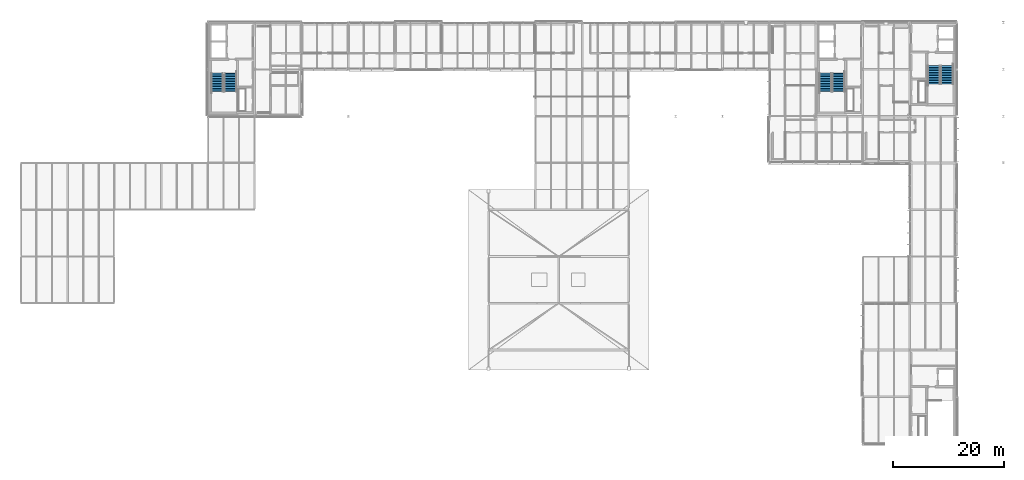
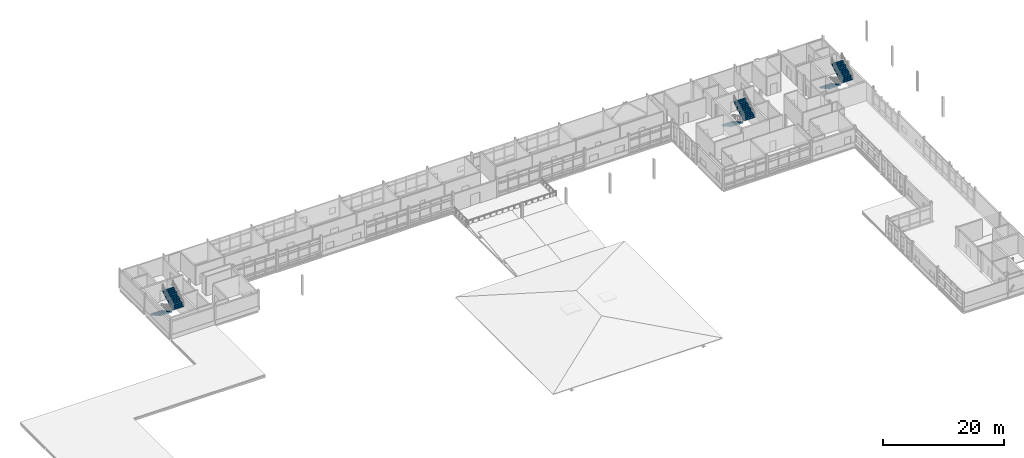
# One storey, part 57 of 66: 6 stair flights, 3 elements without a shape of their own.
"""IFC4 building model written with IfcOpenShell, lengths in metres."""

from ifc_helpers import new_model, si_unit, direction, frame, origin, place, context, subcontext, project, spatial, polyline, outline, extrude, material, type_object, element, aggregate, save


model = new_model("IFC4")

# Units and contexts
model_context = context("Model", 3, precision=1e-05, world=origin(), true_north=direction((0.0, 1.0)))
body_context = subcontext(model_context, "Body", "Model", "MODEL_VIEW")
ifc_project = project(units=[si_unit("LENGTHUNIT", "METRE"), si_unit("AREAUNIT", "SQUARE_METRE"), si_unit("VOLUMEUNIT", "CUBIC_METRE"), si_unit("PLANEANGLEUNIT", "RADIAN"), si_unit("MASSUNIT", "GRAM", prefix="KILO")], contexts=[model_context])

# Site, building, storey
site_placement = place(None, origin())
site = spatial("IfcSite", under=ifc_project, at=site_placement, CompositionType="ELEMENT")
building_placement = place(site_placement, origin())
building = spatial("IfcBuilding", under=site, at=building_placement, Name="Mersafa Astral City Hall", CompositionType="ELEMENT")
storey_placement = place(building_placement, frame((0.0, 0.0, 22.050048828125)))
storey = spatial("IfcBuildingStorey", under=building, at=storey_placement, Name="L05", CompositionType="ELEMENT", Elevation=22.050048828125)

# Stair, stair flights
ifc_material = material(Name="Concrete C40/50", Category="concrete")
stair_type = type_object("IfcStairType", Name="STAIR", PredefinedType="HALF_TURN_STAIR", material=ifc_material)
stair_1_placement = place(storey_placement, origin())
stair_1 = element("IfcStair", 1, at=stair_1_placement, inside=storey, type_object=stair_type, Name="L05 Protected Exit Stair ST1", PredefinedType="HALF_TURN_STAIR")
stair_flight_type = type_object("IfcStairFlightType", Name="STAIR-FLIGHT", PredefinedType="STRAIGHT", material=ifc_material)
stair_flight_1_placement = place(storey_placement, frame((152.8798828125, 116.89990234375, 0.0), z_axis=(0.0, 0.0, 1.0), x_axis=(0.0, -1.0, 0.0)))
stair_flight_1 = element("IfcStairFlight", 2, at=stair_flight_1_placement, type_object=stair_flight_type, Name="ST1 flight 1", NumberOfRisers=12, NumberOfTreads=11, PredefinedType="STRAIGHT", RiserHeight=0.16875, TreadLength=0.3, context=body_context, shape_type="SweptSolid", body=[
    extrude(outline(polyline([(-0.008056640625, -0.02197265625), (-0.008056640625, -0.010009765625), (-0.008056640625, 0.001953125), (-0.008056640625, 0.013671875), (-0.008056640625, 0.025634765625), (-0.008056640625, 0.03759765625), (-0.008056640625, 0.049560546875), (-0.008056640625, 0.0615234375), (-0.008056640625, 0.073486328125), (-0.008056640625, 0.085205078125), (-0.008056640625, 0.09716796875), (-0.008056640625, 0.109130859375), (-0.008056640625, 0.12109375), (-0.008056640625, 0.133056640625), (-0.008056640625, 0.14501953125), (-0.008056640625, 0.15673828125), (-0.008056640625, 0.168701171875), (0.300048828125, 0.168701171875), (0.300048828125, 0.33740234375), (0.60009765625, 0.33740234375), (0.60009765625, 0.50634765625), (0.89990234375, 0.50634765625), (0.89990234375, 0.675048828125), (1.199951171875, 0.675048828125), (1.199951171875, 0.84375), (1.5, 0.84375), (1.5, 1.012451171875), (1.800048828125, 1.012451171875), (1.800048828125, 1.18115234375), (2.10009765625, 1.18115234375), (2.10009765625, 1.35009765625), (2.39990234375, 1.35009765625), (2.39990234375, 1.518798828125), (2.699951171875, 1.518798828125), (2.699951171875, 1.6875), (3.0, 1.6875), (3.0, 1.856201171875), (3.300048828125, 1.856201171875), (3.300048828125, 2.02490234375), (3.30810546875, 2.02490234375), (3.30810546875, 2.003662109375), (3.30810546875, 1.982421875), (3.30810546875, 1.961181640625), (3.30810546875, 1.939697265625), (3.30810546875, 1.91845703125), (3.30810546875, 1.897216796875), (3.30810546875, 1.8759765625), (3.30810546875, 1.854736328125), (3.30810546875, 1.833251953125), (3.30810546875, 1.81201171875), (3.30810546875, 1.790771484375), (3.30810546875, 1.76953125), (3.30810546875, 1.748046875), (3.30810546875, 1.726806640625), (3.30810546875, 1.70556640625), (3.30810546875, 1.684326171875), (0.2666015625, -0.02197265625), (-0.008056640625, -0.02197265625)])), frame((0.0, 1.10009765625, 0.0), z_axis=(0.0, -1.0, 0.0), x_axis=(1.0, 0.0, 0.0)), (0.0, 0.0, 1.0), 2.199951171875),
])
stair_flight_2_placement = place(storey_placement, frame((155.239990234375, 113.60009765625, 2.02490234375), z_axis=(0.0, 0.0, 1.0), x_axis=(0.0, 1.0, 0.0)))
stair_flight_2 = element("IfcStairFlight", 3, at=stair_flight_2_placement, type_object=stair_flight_type, Name="ST1 flight 2", NumberOfRisers=12, NumberOfTreads=11, PredefinedType="STRAIGHT", RiserHeight=0.16875, TreadLength=0.3, context=body_context, shape_type="SweptSolid", body=[
    extrude(outline(polyline([(-0.008056640625, -0.02197265625), (-0.008056640625, -0.010009765625), (-0.008056640625, 0.001953125), (-0.008056640625, 0.013671875), (-0.008056640625, 0.025634765625), (-0.008056640625, 0.03759765625), (-0.008056640625, 0.049560546875), (-0.008056640625, 0.0615234375), (-0.008056640625, 0.073486328125), (-0.008056640625, 0.085205078125), (-0.008056640625, 0.09716796875), (-0.008056640625, 0.109130859375), (-0.008056640625, 0.12109375), (-0.008056640625, 0.133056640625), (-0.008056640625, 0.14501953125), (-0.008056640625, 0.15673828125), (-0.008056640625, 0.168701171875), (0.300048828125, 0.168701171875), (0.300048828125, 0.33740234375), (0.60009765625, 0.33740234375), (0.60009765625, 0.50634765625), (0.89990234375, 0.50634765625), (0.89990234375, 0.675048828125), (1.199951171875, 0.675048828125), (1.199951171875, 0.84375), (1.5, 0.84375), (1.5, 1.012451171875), (1.800048828125, 1.012451171875), (1.800048828125, 1.18115234375), (2.10009765625, 1.18115234375), (2.10009765625, 1.35009765625), (2.39990234375, 1.35009765625), (2.39990234375, 1.518798828125), (2.699951171875, 1.518798828125), (2.699951171875, 1.6875), (3.0, 1.6875), (3.0, 1.856201171875), (3.300048828125, 1.856201171875), (3.300048828125, 2.02490234375), (3.30810546875, 2.02490234375), (3.30810546875, 2.003662109375), (3.30810546875, 1.982421875), (3.30810546875, 1.961181640625), (3.30810546875, 1.939697265625), (3.30810546875, 1.91845703125), (3.30810546875, 1.897216796875), (3.30810546875, 1.8759765625), (3.30810546875, 1.854736328125), (3.30810546875, 1.833251953125), (3.30810546875, 1.81201171875), (3.30810546875, 1.790771484375), (3.30810546875, 1.76953125), (3.30810546875, 1.748046875), (3.30810546875, 1.726806640625), (3.30810546875, 1.70556640625), (3.30810546875, 1.684326171875), (0.2666015625, -0.02197265625), (-0.008056640625, -0.02197265625)])), frame((0.0, 1.10009765625, 0.0), z_axis=(0.0, -1.0, 0.0), x_axis=(1.0, 0.0, 0.0)), (0.0, 0.0, 1.0), 2.199951171875),
])
aggregate(stair_1, [stair_flight_1, stair_flight_2])

stair_2_placement = place(storey_placement, origin())
stair_2 = element("IfcStair", 4, at=stair_2_placement, inside=storey, type_object=stair_type, Name="L05 Protected Exit Stair ST2", PredefinedType="HALF_TURN_STAIR")
stair_flight_3_placement = place(storey_placement, frame((172.360107421875, 118.260009765625, 0.0), z_axis=(0.0, 0.0, 1.0), x_axis=(0.0, -1.0, 0.0)))
stair_flight_3 = element("IfcStairFlight", 5, at=stair_flight_3_placement, type_object=stair_flight_type, Name="ST2 flight 1", NumberOfRisers=12, NumberOfTreads=11, PredefinedType="STRAIGHT", RiserHeight=0.16875, TreadLength=0.3, context=body_context, shape_type="SweptSolid", body=[
    extrude(outline(polyline([(-0.008056640625, -0.02197265625), (-0.008056640625, -0.010009765625), (-0.008056640625, 0.001953125), (-0.008056640625, 0.013671875), (-0.008056640625, 0.025634765625), (-0.008056640625, 0.03759765625), (-0.008056640625, 0.049560546875), (-0.008056640625, 0.0615234375), (-0.008056640625, 0.073486328125), (-0.008056640625, 0.085205078125), (-0.008056640625, 0.09716796875), (-0.008056640625, 0.109130859375), (-0.008056640625, 0.12109375), (-0.008056640625, 0.133056640625), (-0.008056640625, 0.14501953125), (-0.008056640625, 0.15673828125), (-0.008056640625, 0.168701171875), (0.300048828125, 0.168701171875), (0.300048828125, 0.33740234375), (0.60009765625, 0.33740234375), (0.60009765625, 0.50634765625), (0.89990234375, 0.50634765625), (0.89990234375, 0.675048828125), (1.199951171875, 0.675048828125), (1.199951171875, 0.84375), (1.5, 0.84375), (1.5, 1.012451171875), (1.800048828125, 1.012451171875), (1.800048828125, 1.18115234375), (2.10009765625, 1.18115234375), (2.10009765625, 1.35009765625), (2.39990234375, 1.35009765625), (2.39990234375, 1.518798828125), (2.699951171875, 1.518798828125), (2.699951171875, 1.6875), (3.0, 1.6875), (3.0, 1.856201171875), (3.300048828125, 1.856201171875), (3.300048828125, 2.02490234375), (3.30810546875, 2.02490234375), (3.30810546875, 2.003662109375), (3.30810546875, 1.982421875), (3.30810546875, 1.961181640625), (3.30810546875, 1.939697265625), (3.30810546875, 1.91845703125), (3.30810546875, 1.897216796875), (3.30810546875, 1.8759765625), (3.30810546875, 1.854736328125), (3.30810546875, 1.833251953125), (3.30810546875, 1.81201171875), (3.30810546875, 1.790771484375), (3.30810546875, 1.76953125), (3.30810546875, 1.748046875), (3.30810546875, 1.726806640625), (3.30810546875, 1.70556640625), (3.30810546875, 1.684326171875), (0.2666015625, -0.02197265625), (-0.008056640625, -0.02197265625)])), frame((0.0, 1.10009765625, 0.0), z_axis=(0.0, -1.0, 0.0), x_axis=(1.0, 0.0, 0.0)), (0.0, 0.0, 1.0), 2.199951171875),
])
stair_flight_4_placement = place(storey_placement, frame((174.719970703125, 114.9599609375, 2.02490234375), z_axis=(0.0, 0.0, 1.0), x_axis=(0.0, 1.0, 0.0)))
stair_flight_4 = element("IfcStairFlight", 6, at=stair_flight_4_placement, type_object=stair_flight_type, Name="ST2 flight 2", NumberOfRisers=12, NumberOfTreads=11, PredefinedType="STRAIGHT", RiserHeight=0.16875, TreadLength=0.3, context=body_context, shape_type="SweptSolid", body=[
    extrude(outline(polyline([(-0.008056640625, -0.02197265625), (-0.008056640625, -0.010009765625), (-0.008056640625, 0.001953125), (-0.008056640625, 0.013671875), (-0.008056640625, 0.025634765625), (-0.008056640625, 0.03759765625), (-0.008056640625, 0.049560546875), (-0.008056640625, 0.0615234375), (-0.008056640625, 0.073486328125), (-0.008056640625, 0.085205078125), (-0.008056640625, 0.09716796875), (-0.008056640625, 0.109130859375), (-0.008056640625, 0.12109375), (-0.008056640625, 0.133056640625), (-0.008056640625, 0.14501953125), (-0.008056640625, 0.15673828125), (-0.008056640625, 0.168701171875), (0.300048828125, 0.168701171875), (0.300048828125, 0.33740234375), (0.60009765625, 0.33740234375), (0.60009765625, 0.50634765625), (0.89990234375, 0.50634765625), (0.89990234375, 0.675048828125), (1.199951171875, 0.675048828125), (1.199951171875, 0.84375), (1.5, 0.84375), (1.5, 1.012451171875), (1.800048828125, 1.012451171875), (1.800048828125, 1.18115234375), (2.10009765625, 1.18115234375), (2.10009765625, 1.35009765625), (2.39990234375, 1.35009765625), (2.39990234375, 1.518798828125), (2.699951171875, 1.518798828125), (2.699951171875, 1.6875), (3.0, 1.6875), (3.0, 1.856201171875), (3.300048828125, 1.856201171875), (3.300048828125, 2.02490234375), (3.30810546875, 2.02490234375), (3.30810546875, 2.003662109375), (3.30810546875, 1.982421875), (3.30810546875, 1.961181640625), (3.30810546875, 1.939697265625), (3.30810546875, 1.91845703125), (3.30810546875, 1.897216796875), (3.30810546875, 1.8759765625), (3.30810546875, 1.854736328125), (3.30810546875, 1.833251953125), (3.30810546875, 1.81201171875), (3.30810546875, 1.790771484375), (3.30810546875, 1.76953125), (3.30810546875, 1.748046875), (3.30810546875, 1.726806640625), (3.30810546875, 1.70556640625), (3.30810546875, 1.684326171875), (0.2666015625, -0.02197265625), (-0.008056640625, -0.02197265625)])), frame((0.0, 1.10009765625, 0.0), z_axis=(0.0, -1.0, 0.0), x_axis=(1.0, 0.0, 0.0)), (0.0, 0.0, 1.0), 2.199951171875),
])
aggregate(stair_2, [stair_flight_3, stair_flight_4])

stair_3_placement = place(storey_placement, origin())
stair_3 = element("IfcStair", 7, at=stair_3_placement, inside=storey, type_object=stair_type, Name="L05 Protected Exit Stair ST3", PredefinedType="HALF_TURN_STAIR")
stair_flight_5_placement = place(storey_placement, frame((43.679931640625, 116.89990234375, 0.0), z_axis=(0.0, 0.0, 1.0), x_axis=(0.0, -1.0, 0.0)))
stair_flight_5 = element("IfcStairFlight", 8, at=stair_flight_5_placement, type_object=stair_flight_type, Name="ST3 flight 1", NumberOfRisers=12, NumberOfTreads=11, PredefinedType="STRAIGHT", RiserHeight=0.16875, TreadLength=0.3, context=body_context, shape_type="SweptSolid", body=[
    extrude(outline(polyline([(-0.008056640625, -0.02197265625), (-0.008056640625, -0.010009765625), (-0.008056640625, 0.001953125), (-0.008056640625, 0.013671875), (-0.008056640625, 0.025634765625), (-0.008056640625, 0.03759765625), (-0.008056640625, 0.049560546875), (-0.008056640625, 0.0615234375), (-0.008056640625, 0.073486328125), (-0.008056640625, 0.085205078125), (-0.008056640625, 0.09716796875), (-0.008056640625, 0.109130859375), (-0.008056640625, 0.12109375), (-0.008056640625, 0.133056640625), (-0.008056640625, 0.14501953125), (-0.008056640625, 0.15673828125), (-0.008056640625, 0.168701171875), (0.300048828125, 0.168701171875), (0.300048828125, 0.33740234375), (0.60009765625, 0.33740234375), (0.60009765625, 0.50634765625), (0.89990234375, 0.50634765625), (0.89990234375, 0.675048828125), (1.199951171875, 0.675048828125), (1.199951171875, 0.84375), (1.5, 0.84375), (1.5, 1.012451171875), (1.800048828125, 1.012451171875), (1.800048828125, 1.18115234375), (2.10009765625, 1.18115234375), (2.10009765625, 1.35009765625), (2.39990234375, 1.35009765625), (2.39990234375, 1.518798828125), (2.699951171875, 1.518798828125), (2.699951171875, 1.6875), (3.0, 1.6875), (3.0, 1.856201171875), (3.300048828125, 1.856201171875), (3.300048828125, 2.02490234375), (3.30810546875, 2.02490234375), (3.30810546875, 2.003662109375), (3.30810546875, 1.982421875), (3.30810546875, 1.961181640625), (3.30810546875, 1.939697265625), (3.30810546875, 1.91845703125), (3.30810546875, 1.897216796875), (3.30810546875, 1.8759765625), (3.30810546875, 1.854736328125), (3.30810546875, 1.833251953125), (3.30810546875, 1.81201171875), (3.30810546875, 1.790771484375), (3.30810546875, 1.76953125), (3.30810546875, 1.748046875), (3.30810546875, 1.726806640625), (3.30810546875, 1.70556640625), (3.30810546875, 1.684326171875), (0.2666015625, -0.02197265625), (-0.008056640625, -0.02197265625)])), frame((0.0, 1.10009765625, 0.0), z_axis=(0.0, -1.0, 0.0), x_axis=(1.0, 0.0, 0.0)), (0.0, 0.0, 1.0), 2.199951171875),
])
stair_flight_6_placement = place(storey_placement, frame((46.0400390625, 113.60009765625, 2.02490234375), z_axis=(0.0, 0.0, 1.0), x_axis=(0.0, 1.0, 0.0)))
stair_flight_6 = element("IfcStairFlight", 9, at=stair_flight_6_placement, type_object=stair_flight_type, Name="ST3 flight 2", NumberOfRisers=12, NumberOfTreads=11, PredefinedType="STRAIGHT", RiserHeight=0.16875, TreadLength=0.3, context=body_context, shape_type="SweptSolid", body=[
    extrude(outline(polyline([(-0.008056640625, -0.02197265625), (-0.008056640625, -0.010009765625), (-0.008056640625, 0.001953125), (-0.008056640625, 0.013671875), (-0.008056640625, 0.025634765625), (-0.008056640625, 0.03759765625), (-0.008056640625, 0.049560546875), (-0.008056640625, 0.0615234375), (-0.008056640625, 0.073486328125), (-0.008056640625, 0.085205078125), (-0.008056640625, 0.09716796875), (-0.008056640625, 0.109130859375), (-0.008056640625, 0.12109375), (-0.008056640625, 0.133056640625), (-0.008056640625, 0.14501953125), (-0.008056640625, 0.15673828125), (-0.008056640625, 0.168701171875), (0.300048828125, 0.168701171875), (0.300048828125, 0.33740234375), (0.60009765625, 0.33740234375), (0.60009765625, 0.50634765625), (0.89990234375, 0.50634765625), (0.89990234375, 0.675048828125), (1.199951171875, 0.675048828125), (1.199951171875, 0.84375), (1.5, 0.84375), (1.5, 1.012451171875), (1.800048828125, 1.012451171875), (1.800048828125, 1.18115234375), (2.10009765625, 1.18115234375), (2.10009765625, 1.35009765625), (2.39990234375, 1.35009765625), (2.39990234375, 1.518798828125), (2.699951171875, 1.518798828125), (2.699951171875, 1.6875), (3.0, 1.6875), (3.0, 1.856201171875), (3.300048828125, 1.856201171875), (3.300048828125, 2.02490234375), (3.30810546875, 2.02490234375), (3.30810546875, 2.003662109375), (3.30810546875, 1.982421875), (3.30810546875, 1.961181640625), (3.30810546875, 1.939697265625), (3.30810546875, 1.91845703125), (3.30810546875, 1.897216796875), (3.30810546875, 1.8759765625), (3.30810546875, 1.854736328125), (3.30810546875, 1.833251953125), (3.30810546875, 1.81201171875), (3.30810546875, 1.790771484375), (3.30810546875, 1.76953125), (3.30810546875, 1.748046875), (3.30810546875, 1.726806640625), (3.30810546875, 1.70556640625), (3.30810546875, 1.684326171875), (0.2666015625, -0.02197265625), (-0.008056640625, -0.02197265625)])), frame((0.0, 1.10009765625, 0.0), z_axis=(0.0, -1.0, 0.0), x_axis=(1.0, 0.0, 0.0)), (0.0, 0.0, 1.0), 2.199951171875),
])
aggregate(stair_3, [stair_flight_5, stair_flight_6])

save(model, "model.ifc")
